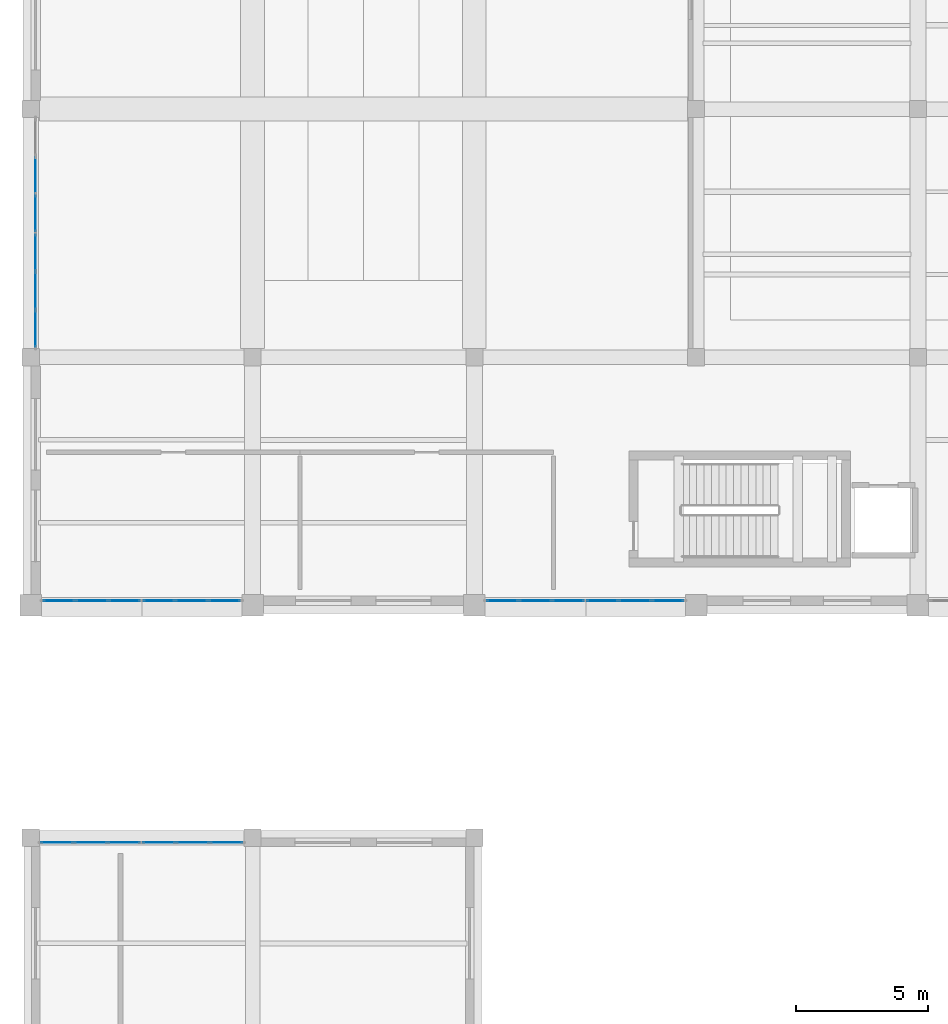
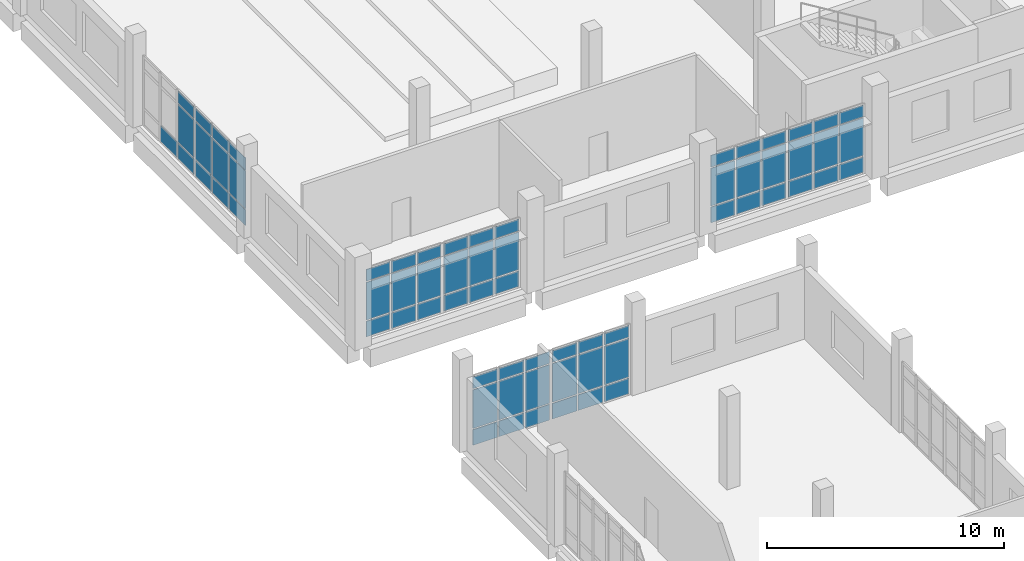
# One storey, part 54 of 90: 67 plates, 8 elements without a shape of their own.
"""IFC4 building model written with IfcOpenShell, lengths in metres."""

from ifc_helpers import new_model, si_unit, direction, frame, origin, origin_2d, place, context, subcontext, project, spatial, rectangle, extrude, material, layer, layer_set, type_object, element, aggregate, save


model = new_model("IFC4")

# Units and contexts
model_context = context("Model", 3, precision=1e-05, world=origin(), true_north=direction((0.0, 1.0)))
body_context = subcontext(model_context, "Body", "Model", "MODEL_VIEW")
ifc_project = project(units=[si_unit("LENGTHUNIT", "METRE"), si_unit("AREAUNIT", "SQUARE_METRE"), si_unit("VOLUMEUNIT", "CUBIC_METRE"), si_unit("PLANEANGLEUNIT", "RADIAN"), si_unit("MASSUNIT", "GRAM", prefix="KILO")], contexts=[model_context])

# Site, building, storey
site_placement = place(None, origin())
site = spatial("IfcSite", under=ifc_project, at=site_placement, CompositionType="ELEMENT")
building_placement = place(site_placement, origin())
building = spatial("IfcBuilding", under=site, at=building_placement, Name="Kelarvand Opera House", CompositionType="ELEMENT")
storey_placement = place(building_placement, frame((0.0, 0.0, 5.39990234375)))
storey = spatial("IfcBuildingStorey", under=building, at=storey_placement, Name="L01", CompositionType="ELEMENT", Elevation=5.39990234375)

# Curtain wall, plates
ifc_material_1 = material(Name="Thermally broken aluminium and low-E glazing", Category="aluminium")
ifc_layer_1 = layer(ifc_material_1, 0.179931640625, Name="Thermally broken aluminium and low-E glazing", Category="aluminium")
ifc_layer_set_1 = layer_set([ifc_layer_1], Name="Thermally broken aluminium and low-E glazing")
curtain_wall_type_1 = type_object("IfcCurtainWallType", Name="Unitised Low-E Curtain Wall 4326x3600 Mod 1350 CWF-15", PredefinedType="USERDEFINED", material=ifc_layer_set_1)
curtain_wall_1_placement = place(storey_placement, origin())
curtain_wall_1 = element("IfcCurtainWall", 1, at=curtain_wall_1_placement, inside=storey, type_object=curtain_wall_type_1, Name="V3 L01 Curtain Wall CWF-15 (57)", ObjectType="UNITISED CURTAIN WALL", PredefinedType="USERDEFINED")
ifc_material_2 = material(Name="Low-E laminated double glazing", Category="glass")
ifc_layer_2 = layer(ifc_material_2, 0.031982421875, Name="Low-E laminated double glazing", Category="glass")
ifc_layer_set_2 = layer_set([ifc_layer_2], Name="Low-E laminated double glazing")
plate_type = type_object("IfcPlateType", Name="Low-E Argon Double Glazed Curtain Panel 32mm", PredefinedType="CURTAIN_PANEL", material=ifc_layer_set_2)
plate_1_placement = place(storey_placement, frame((9.179931640625, 97.677978515625, 0.06494140625), z_axis=(0.0, 0.0, 1.0), x_axis=(0.0, 1.0, 0.0)))
plate_1 = element("IfcPlate", 2, at=plate_1_placement, type_object=plate_type, Name="CWF-15 panel 1.1", PredefinedType="CURTAIN_PANEL", context=body_context, shape_type="SweptSolid", body=[
    extrude(rectangle(XDim=1.356201171875, YDim=0.031982421875, at=origin_2d()), origin(), (0.0, 0.0, 1.0), 0.802490234375),
])
plate_2_placement = place(storey_placement, frame((9.179931640625, 97.677978515625, 0.9326171875), z_axis=(0.0, 0.0, 1.0), x_axis=(0.0, 1.0, 0.0)))
plate_2 = element("IfcPlate", 3, at=plate_2_placement, type_object=plate_type, Name="CWF-15 panel 1.2", PredefinedType="CURTAIN_PANEL", context=body_context, shape_type="SweptSolid", body=[
    extrude(rectangle(XDim=1.356201171875, YDim=0.031982421875, at=origin_2d()), origin(), (0.0, 0.0, 1.0), 1.93505859375),
])
plate_3_placement = place(storey_placement, frame((9.179931640625, 97.677978515625, 2.9326171875), z_axis=(0.0, 0.0, 1.0), x_axis=(0.0, 1.0, 0.0)))
plate_3 = element("IfcPlate", 4, at=plate_3_placement, type_object=plate_type, Name="CWF-15 panel 1.3", PredefinedType="CURTAIN_PANEL", context=body_context, shape_type="SweptSolid", body=[
    extrude(rectangle(XDim=1.356201171875, YDim=0.031982421875, at=origin_2d()), origin(), (0.0, 0.0, 1.0), 0.6025390625),
])
plate_4_placement = place(storey_placement, frame((9.179931640625, 99.115478515625, 0.06494140625), z_axis=(0.0, 0.0, 1.0), x_axis=(0.0, 1.0, 0.0)))
plate_4 = element("IfcPlate", 5, at=plate_4_placement, type_object=plate_type, Name="CWF-15 panel 2.1", PredefinedType="CURTAIN_PANEL", context=body_context, shape_type="SweptSolid", body=[
    extrude(rectangle(XDim=1.388671875, YDim=0.031982421875, at=origin_2d()), origin(), (0.0, 0.0, 1.0), 0.802490234375),
])
plate_5_placement = place(storey_placement, frame((9.179931640625, 99.115478515625, 0.9326171875), z_axis=(0.0, 0.0, 1.0), x_axis=(0.0, 1.0, 0.0)))
plate_5 = element("IfcPlate", 6, at=plate_5_placement, type_object=plate_type, Name="CWF-15 panel 2.2", PredefinedType="CURTAIN_PANEL", context=body_context, shape_type="SweptSolid", body=[
    extrude(rectangle(XDim=1.388671875, YDim=0.031982421875, at=origin_2d()), origin(), (0.0, 0.0, 1.0), 1.93505859375),
])
plate_6_placement = place(storey_placement, frame((9.179931640625, 99.115478515625, 2.9326171875), z_axis=(0.0, 0.0, 1.0), x_axis=(0.0, 1.0, 0.0)))
plate_6 = element("IfcPlate", 7, at=plate_6_placement, type_object=plate_type, Name="CWF-15 panel 2.3", PredefinedType="CURTAIN_PANEL", context=body_context, shape_type="SweptSolid", body=[
    extrude(rectangle(XDim=1.388671875, YDim=0.031982421875, at=origin_2d()), origin(), (0.0, 0.0, 1.0), 0.6025390625),
])
plate_7_placement = place(storey_placement, frame((9.179931640625, 100.552978515625, 0.06494140625), z_axis=(0.0, 0.0, 1.0), x_axis=(0.0, 1.0, 0.0)))
plate_7 = element("IfcPlate", 8, at=plate_7_placement, type_object=plate_type, Name="CWF-15 panel 3.1", PredefinedType="CURTAIN_PANEL", context=body_context, shape_type="SweptSolid", body=[
    extrude(rectangle(XDim=1.356201171875, YDim=0.031982421875, at=origin_2d()), origin(), (0.0, 0.0, 1.0), 0.802490234375),
])
plate_8_placement = place(storey_placement, frame((9.179931640625, 100.552978515625, 0.9326171875), z_axis=(0.0, 0.0, 1.0), x_axis=(0.0, 1.0, 0.0)))
plate_8 = element("IfcPlate", 9, at=plate_8_placement, type_object=plate_type, Name="CWF-15 panel 3.2", PredefinedType="CURTAIN_PANEL", context=body_context, shape_type="SweptSolid", body=[
    extrude(rectangle(XDim=1.356201171875, YDim=0.031982421875, at=origin_2d()), origin(), (0.0, 0.0, 1.0), 1.93505859375),
])
plate_9_placement = place(storey_placement, frame((9.179931640625, 100.552978515625, 2.9326171875), z_axis=(0.0, 0.0, 1.0), x_axis=(0.0, 1.0, 0.0)))
plate_9 = element("IfcPlate", 10, at=plate_9_placement, type_object=plate_type, Name="CWF-15 panel 3.3", PredefinedType="CURTAIN_PANEL", context=body_context, shape_type="SweptSolid", body=[
    extrude(rectangle(XDim=1.356201171875, YDim=0.031982421875, at=origin_2d()), origin(), (0.0, 0.0, 1.0), 0.6025390625),
])
aggregate(curtain_wall_1, [plate_1, plate_2, plate_3, plate_4, plate_5, plate_6, plate_7, plate_8, plate_9])

curtain_wall_2_placement = place(storey_placement, origin())
curtain_wall_2 = element("IfcCurtainWall", 11, at=curtain_wall_2_placement, inside=storey, type_object=curtain_wall_type_1, Name="V3 L01 Curtain Wall CWF-15 (58)", ObjectType="UNITISED CURTAIN WALL", PredefinedType="USERDEFINED")
plate_10_placement = place(storey_placement, frame((9.179931640625, 102.043701171875, 0.06494140625), z_axis=(0.0, 0.0, 1.0), x_axis=(0.0, 1.0, 0.0)))
plate_10 = element("IfcPlate", 12, at=plate_10_placement, type_object=plate_type, Name="CWF-15 panel 1.1", PredefinedType="CURTAIN_PANEL", context=body_context, shape_type="SweptSolid", body=[
    extrude(rectangle(XDim=1.357421875, YDim=0.031982421875, at=origin_2d()), origin(), (0.0, 0.0, 1.0), 0.802490234375),
])
plate_11_placement = place(storey_placement, frame((9.179931640625, 102.043701171875, 0.9326171875), z_axis=(0.0, 0.0, 1.0), x_axis=(0.0, 1.0, 0.0)))
plate_11 = element("IfcPlate", 13, at=plate_11_placement, type_object=plate_type, Name="CWF-15 panel 1.2", PredefinedType="CURTAIN_PANEL", context=body_context, shape_type="SweptSolid", body=[
    extrude(rectangle(XDim=1.357421875, YDim=0.031982421875, at=origin_2d()), origin(), (0.0, 0.0, 1.0), 1.93505859375),
])
plate_12_placement = place(storey_placement, frame((9.179931640625, 102.043701171875, 2.9326171875), z_axis=(0.0, 0.0, 1.0), x_axis=(0.0, 1.0, 0.0)))
plate_12 = element("IfcPlate", 14, at=plate_12_placement, type_object=plate_type, Name="CWF-15 panel 1.3", PredefinedType="CURTAIN_PANEL", context=body_context, shape_type="SweptSolid", body=[
    extrude(rectangle(XDim=1.357421875, YDim=0.031982421875, at=origin_2d()), origin(), (0.0, 0.0, 1.0), 0.6025390625),
])
plate_13_placement = place(storey_placement, frame((9.179931640625, 103.482421875, 0.06494140625), z_axis=(0.0, 0.0, 1.0), x_axis=(0.0, 1.0, 0.0)))
plate_13 = element("IfcPlate", 15, at=plate_13_placement, type_object=plate_type, Name="CWF-15 panel 2.1", PredefinedType="CURTAIN_PANEL", context=body_context, shape_type="SweptSolid", body=[
    extrude(rectangle(XDim=1.389892578125, YDim=0.031982421875, at=origin_2d()), origin(), (0.0, 0.0, 1.0), 0.802490234375),
])
aggregate(curtain_wall_2, [plate_10, plate_11, plate_12, plate_13])

ifc_layer_3 = layer(ifc_material_1, 0.179931640625, Name="Thermally broken aluminium and low-E glazing", Category="aluminium")
ifc_layer_set_3 = layer_set([ifc_layer_3], Name="Thermally broken aluminium and low-E glazing")
curtain_wall_type_2 = type_object("IfcCurtainWallType", Name="Unitised Low-E Curtain Wall 3818x3600 Mod 1350 CWF-18", PredefinedType="USERDEFINED", material=ifc_layer_set_3)
curtain_wall_3_placement = place(storey_placement, origin())
curtain_wall_3 = element("IfcCurtainWall", 16, at=curtain_wall_3_placement, inside=storey, type_object=curtain_wall_type_2, Name="V3 L01 Curtain Wall CWF-18 (63)", ObjectType="UNITISED CURTAIN WALL", PredefinedType="USERDEFINED")
plate_14_placement = place(storey_placement, frame((33.134521484375, 87.3798828125, 0.06494140625), z_axis=(0.0, 0.0, 1.0), x_axis=(-1.0, 0.0, 0.0)))
plate_14 = element("IfcPlate", 17, at=plate_14_placement, type_object=plate_type, Name="CWF-18 panel 1.1", PredefinedType="CURTAIN_PANEL", context=body_context, shape_type="SweptSolid", body=[
    extrude(rectangle(XDim=1.1611328125, YDim=0.031982421875, at=origin_2d()), origin(), (0.0, 0.0, 1.0), 0.802490234375),
])
plate_15_placement = place(storey_placement, frame((33.134521484375, 87.3798828125, 0.9326171875), z_axis=(0.0, 0.0, 1.0), x_axis=(-1.0, 0.0, 0.0)))
plate_15 = element("IfcPlate", 18, at=plate_15_placement, type_object=plate_type, Name="CWF-18 panel 1.2", PredefinedType="CURTAIN_PANEL", context=body_context, shape_type="SweptSolid", body=[
    extrude(rectangle(XDim=1.1611328125, YDim=0.031982421875, at=origin_2d()), origin(), (0.0, 0.0, 1.0), 1.93505859375),
])
plate_16_placement = place(storey_placement, frame((33.134521484375, 87.3798828125, 2.9326171875), z_axis=(0.0, 0.0, 1.0), x_axis=(-1.0, 0.0, 0.0)))
plate_16 = element("IfcPlate", 19, at=plate_16_placement, type_object=plate_type, Name="CWF-18 panel 1.3", PredefinedType="CURTAIN_PANEL", context=body_context, shape_type="SweptSolid", body=[
    extrude(rectangle(XDim=1.1611328125, YDim=0.031982421875, at=origin_2d()), origin(), (0.0, 0.0, 1.0), 0.6025390625),
])
plate_17_placement = place(storey_placement, frame((31.89208984375, 87.3798828125, 0.06494140625), z_axis=(0.0, 0.0, 1.0), x_axis=(-1.0, 0.0, 0.0)))
plate_17 = element("IfcPlate", 20, at=plate_17_placement, type_object=plate_type, Name="CWF-18 panel 2.1", PredefinedType="CURTAIN_PANEL", context=body_context, shape_type="SweptSolid", body=[
    extrude(rectangle(XDim=1.193603515625, YDim=0.031982421875, at=origin_2d()), origin(), (0.0, 0.0, 1.0), 0.802490234375),
])
plate_18_placement = place(storey_placement, frame((31.89208984375, 87.3798828125, 0.9326171875), z_axis=(0.0, 0.0, 1.0), x_axis=(-1.0, 0.0, 0.0)))
plate_18 = element("IfcPlate", 21, at=plate_18_placement, type_object=plate_type, Name="CWF-18 panel 2.2", PredefinedType="CURTAIN_PANEL", context=body_context, shape_type="SweptSolid", body=[
    extrude(rectangle(XDim=1.193603515625, YDim=0.031982421875, at=origin_2d()), origin(), (0.0, 0.0, 1.0), 1.93505859375),
])
plate_19_placement = place(storey_placement, frame((31.89208984375, 87.3798828125, 2.9326171875), z_axis=(0.0, 0.0, 1.0), x_axis=(-1.0, 0.0, 0.0)))
plate_19 = element("IfcPlate", 22, at=plate_19_placement, type_object=plate_type, Name="CWF-18 panel 2.3", PredefinedType="CURTAIN_PANEL", context=body_context, shape_type="SweptSolid", body=[
    extrude(rectangle(XDim=1.193603515625, YDim=0.031982421875, at=origin_2d()), origin(), (0.0, 0.0, 1.0), 0.6025390625),
])
plate_20_placement = place(storey_placement, frame((30.649658203125, 87.3798828125, 0.06494140625), z_axis=(0.0, 0.0, 1.0), x_axis=(-1.0, 0.0, 0.0)))
plate_20 = element("IfcPlate", 23, at=plate_20_placement, type_object=plate_type, Name="CWF-18 panel 3.1", PredefinedType="CURTAIN_PANEL", context=body_context, shape_type="SweptSolid", body=[
    extrude(rectangle(XDim=1.1611328125, YDim=0.031982421875, at=origin_2d()), origin(), (0.0, 0.0, 1.0), 0.802490234375),
])
plate_21_placement = place(storey_placement, frame((30.649658203125, 87.3798828125, 0.9326171875), z_axis=(0.0, 0.0, 1.0), x_axis=(-1.0, 0.0, 0.0)))
plate_21 = element("IfcPlate", 24, at=plate_21_placement, type_object=plate_type, Name="CWF-18 panel 3.2", PredefinedType="CURTAIN_PANEL", context=body_context, shape_type="SweptSolid", body=[
    extrude(rectangle(XDim=1.1611328125, YDim=0.031982421875, at=origin_2d()), origin(), (0.0, 0.0, 1.0), 1.93505859375),
])
plate_22_placement = place(storey_placement, frame((30.649658203125, 87.3798828125, 2.9326171875), z_axis=(0.0, 0.0, 1.0), x_axis=(-1.0, 0.0, 0.0)))
plate_22 = element("IfcPlate", 25, at=plate_22_placement, type_object=plate_type, Name="CWF-18 panel 3.3", PredefinedType="CURTAIN_PANEL", context=body_context, shape_type="SweptSolid", body=[
    extrude(rectangle(XDim=1.1611328125, YDim=0.031982421875, at=origin_2d()), origin(), (0.0, 0.0, 1.0), 0.6025390625),
])
aggregate(curtain_wall_3, [plate_14, plate_15, plate_16, plate_17, plate_18, plate_19, plate_20, plate_21, plate_22])

curtain_wall_4_placement = place(storey_placement, origin())
curtain_wall_4 = element("IfcCurtainWall", 26, at=curtain_wall_4_placement, inside=storey, type_object=curtain_wall_type_2, Name="V3 L01 Curtain Wall CWF-18 (64)", ObjectType="UNITISED CURTAIN WALL", PredefinedType="USERDEFINED")
plate_23_placement = place(storey_placement, frame((29.353759765625, 87.3798828125, 0.06494140625), z_axis=(0.0, 0.0, 1.0), x_axis=(-1.0, 0.0, 0.0)))
plate_23 = element("IfcPlate", 27, at=plate_23_placement, type_object=plate_type, Name="CWF-18 panel 1.1", PredefinedType="CURTAIN_PANEL", context=body_context, shape_type="SweptSolid", body=[
    extrude(rectangle(XDim=1.16259765625, YDim=0.031982421875, at=origin_2d()), origin(), (0.0, 0.0, 1.0), 0.802490234375),
])
plate_24_placement = place(storey_placement, frame((29.353759765625, 87.3798828125, 0.9326171875), z_axis=(0.0, 0.0, 1.0), x_axis=(-1.0, 0.0, 0.0)))
plate_24 = element("IfcPlate", 28, at=plate_24_placement, type_object=plate_type, Name="CWF-18 panel 1.2", PredefinedType="CURTAIN_PANEL", context=body_context, shape_type="SweptSolid", body=[
    extrude(rectangle(XDim=1.16259765625, YDim=0.031982421875, at=origin_2d()), origin(), (0.0, 0.0, 1.0), 1.93505859375),
])
plate_25_placement = place(storey_placement, frame((29.353759765625, 87.3798828125, 2.9326171875), z_axis=(0.0, 0.0, 1.0), x_axis=(-1.0, 0.0, 0.0)))
plate_25 = element("IfcPlate", 29, at=plate_25_placement, type_object=plate_type, Name="CWF-18 panel 1.3", PredefinedType="CURTAIN_PANEL", context=body_context, shape_type="SweptSolid", body=[
    extrude(rectangle(XDim=1.16259765625, YDim=0.031982421875, at=origin_2d()), origin(), (0.0, 0.0, 1.0), 0.6025390625),
])
plate_26_placement = place(storey_placement, frame((28.110107421875, 87.3798828125, 0.06494140625), z_axis=(0.0, 0.0, 1.0), x_axis=(-1.0, 0.0, 0.0)))
plate_26 = element("IfcPlate", 30, at=plate_26_placement, type_object=plate_type, Name="CWF-18 panel 2.1", PredefinedType="CURTAIN_PANEL", context=body_context, shape_type="SweptSolid", body=[
    extrude(rectangle(XDim=1.195068359375, YDim=0.031982421875, at=origin_2d()), origin(), (0.0, 0.0, 1.0), 0.802490234375),
])
plate_27_placement = place(storey_placement, frame((28.110107421875, 87.3798828125, 0.9326171875), z_axis=(0.0, 0.0, 1.0), x_axis=(-1.0, 0.0, 0.0)))
plate_27 = element("IfcPlate", 31, at=plate_27_placement, type_object=plate_type, Name="CWF-18 panel 2.2", PredefinedType="CURTAIN_PANEL", context=body_context, shape_type="SweptSolid", body=[
    extrude(rectangle(XDim=1.195068359375, YDim=0.031982421875, at=origin_2d()), origin(), (0.0, 0.0, 1.0), 1.93505859375),
])
plate_28_placement = place(storey_placement, frame((28.110107421875, 87.3798828125, 2.9326171875), z_axis=(0.0, 0.0, 1.0), x_axis=(-1.0, 0.0, 0.0)))
plate_28 = element("IfcPlate", 32, at=plate_28_placement, type_object=plate_type, Name="CWF-18 panel 2.3", PredefinedType="CURTAIN_PANEL", context=body_context, shape_type="SweptSolid", body=[
    extrude(rectangle(XDim=1.195068359375, YDim=0.031982421875, at=origin_2d()), origin(), (0.0, 0.0, 1.0), 0.6025390625),
])
plate_29_placement = place(storey_placement, frame((26.8662109375, 87.3798828125, 0.06494140625), z_axis=(0.0, 0.0, 1.0), x_axis=(-1.0, 0.0, 0.0)))
plate_29 = element("IfcPlate", 33, at=plate_29_placement, type_object=plate_type, Name="CWF-18 panel 3.1", PredefinedType="CURTAIN_PANEL", context=body_context, shape_type="SweptSolid", body=[
    extrude(rectangle(XDim=1.16259765625, YDim=0.031982421875, at=origin_2d()), origin(), (0.0, 0.0, 1.0), 0.802490234375),
])
plate_30_placement = place(storey_placement, frame((26.8662109375, 87.3798828125, 0.9326171875), z_axis=(0.0, 0.0, 1.0), x_axis=(-1.0, 0.0, 0.0)))
plate_30 = element("IfcPlate", 34, at=plate_30_placement, type_object=plate_type, Name="CWF-18 panel 3.2", PredefinedType="CURTAIN_PANEL", context=body_context, shape_type="SweptSolid", body=[
    extrude(rectangle(XDim=1.16259765625, YDim=0.031982421875, at=origin_2d()), origin(), (0.0, 0.0, 1.0), 1.93505859375),
])
plate_31_placement = place(storey_placement, frame((26.8662109375, 87.3798828125, 2.9326171875), z_axis=(0.0, 0.0, 1.0), x_axis=(-1.0, 0.0, 0.0)))
plate_31 = element("IfcPlate", 35, at=plate_31_placement, type_object=plate_type, Name="CWF-18 panel 3.3", PredefinedType="CURTAIN_PANEL", context=body_context, shape_type="SweptSolid", body=[
    extrude(rectangle(XDim=1.16259765625, YDim=0.031982421875, at=origin_2d()), origin(), (0.0, 0.0, 1.0), 0.6025390625),
])
aggregate(curtain_wall_4, [plate_23, plate_24, plate_25, plate_26, plate_27, plate_28, plate_29, plate_30, plate_31])

curtain_wall_5_placement = place(storey_placement, origin())
curtain_wall_5 = element("IfcCurtainWall", 36, at=curtain_wall_5_placement, inside=storey, type_object=curtain_wall_type_2, Name="V3 L01 Curtain Wall CWF-18 (65)", ObjectType="UNITISED CURTAIN WALL", PredefinedType="USERDEFINED")
plate_32_placement = place(storey_placement, frame((16.33447265625, 87.3798828125, 0.06494140625), z_axis=(0.0, 0.0, 1.0), x_axis=(-1.0, 0.0, 0.0)))
plate_32 = element("IfcPlate", 37, at=plate_32_placement, type_object=plate_type, Name="CWF-18 panel 1.1", PredefinedType="CURTAIN_PANEL", context=body_context, shape_type="SweptSolid", body=[
    extrude(rectangle(XDim=1.1611328125, YDim=0.031982421875, at=origin_2d()), origin(), (0.0, 0.0, 1.0), 0.802490234375),
])
plate_33_placement = place(storey_placement, frame((16.33447265625, 87.3798828125, 0.9326171875), z_axis=(0.0, 0.0, 1.0), x_axis=(-1.0, 0.0, 0.0)))
plate_33 = element("IfcPlate", 38, at=plate_33_placement, type_object=plate_type, Name="CWF-18 panel 1.2", PredefinedType="CURTAIN_PANEL", context=body_context, shape_type="SweptSolid", body=[
    extrude(rectangle(XDim=1.1611328125, YDim=0.031982421875, at=origin_2d()), origin(), (0.0, 0.0, 1.0), 1.93505859375),
])
plate_34_placement = place(storey_placement, frame((16.33447265625, 87.3798828125, 2.9326171875), z_axis=(0.0, 0.0, 1.0), x_axis=(-1.0, 0.0, 0.0)))
plate_34 = element("IfcPlate", 39, at=plate_34_placement, type_object=plate_type, Name="CWF-18 panel 1.3", PredefinedType="CURTAIN_PANEL", context=body_context, shape_type="SweptSolid", body=[
    extrude(rectangle(XDim=1.1611328125, YDim=0.031982421875, at=origin_2d()), origin(), (0.0, 0.0, 1.0), 0.6025390625),
])
plate_35_placement = place(storey_placement, frame((15.092041015625, 87.3798828125, 0.06494140625), z_axis=(0.0, 0.0, 1.0), x_axis=(-1.0, 0.0, 0.0)))
plate_35 = element("IfcPlate", 40, at=plate_35_placement, type_object=plate_type, Name="CWF-18 panel 2.1", PredefinedType="CURTAIN_PANEL", context=body_context, shape_type="SweptSolid", body=[
    extrude(rectangle(XDim=1.193603515625, YDim=0.031982421875, at=origin_2d()), origin(), (0.0, 0.0, 1.0), 0.802490234375),
])
plate_36_placement = place(storey_placement, frame((15.092041015625, 87.3798828125, 0.9326171875), z_axis=(0.0, 0.0, 1.0), x_axis=(-1.0, 0.0, 0.0)))
plate_36 = element("IfcPlate", 41, at=plate_36_placement, type_object=plate_type, Name="CWF-18 panel 2.2", PredefinedType="CURTAIN_PANEL", context=body_context, shape_type="SweptSolid", body=[
    extrude(rectangle(XDim=1.193603515625, YDim=0.031982421875, at=origin_2d()), origin(), (0.0, 0.0, 1.0), 1.93505859375),
])
plate_37_placement = place(storey_placement, frame((15.092041015625, 87.3798828125, 2.9326171875), z_axis=(0.0, 0.0, 1.0), x_axis=(-1.0, 0.0, 0.0)))
plate_37 = element("IfcPlate", 42, at=plate_37_placement, type_object=plate_type, Name="CWF-18 panel 2.3", PredefinedType="CURTAIN_PANEL", context=body_context, shape_type="SweptSolid", body=[
    extrude(rectangle(XDim=1.193603515625, YDim=0.031982421875, at=origin_2d()), origin(), (0.0, 0.0, 1.0), 0.6025390625),
])
plate_38_placement = place(storey_placement, frame((13.849609375, 87.3798828125, 0.06494140625), z_axis=(0.0, 0.0, 1.0), x_axis=(-1.0, 0.0, 0.0)))
plate_38 = element("IfcPlate", 43, at=plate_38_placement, type_object=plate_type, Name="CWF-18 panel 3.1", PredefinedType="CURTAIN_PANEL", context=body_context, shape_type="SweptSolid", body=[
    extrude(rectangle(XDim=1.1611328125, YDim=0.031982421875, at=origin_2d()), origin(), (0.0, 0.0, 1.0), 0.802490234375),
])
plate_39_placement = place(storey_placement, frame((13.849609375, 87.3798828125, 0.9326171875), z_axis=(0.0, 0.0, 1.0), x_axis=(-1.0, 0.0, 0.0)))
plate_39 = element("IfcPlate", 44, at=plate_39_placement, type_object=plate_type, Name="CWF-18 panel 3.2", PredefinedType="CURTAIN_PANEL", context=body_context, shape_type="SweptSolid", body=[
    extrude(rectangle(XDim=1.1611328125, YDim=0.031982421875, at=origin_2d()), origin(), (0.0, 0.0, 1.0), 1.93505859375),
])
plate_40_placement = place(storey_placement, frame((13.849609375, 87.3798828125, 2.9326171875), z_axis=(0.0, 0.0, 1.0), x_axis=(-1.0, 0.0, 0.0)))
plate_40 = element("IfcPlate", 45, at=plate_40_placement, type_object=plate_type, Name="CWF-18 panel 3.3", PredefinedType="CURTAIN_PANEL", context=body_context, shape_type="SweptSolid", body=[
    extrude(rectangle(XDim=1.1611328125, YDim=0.031982421875, at=origin_2d()), origin(), (0.0, 0.0, 1.0), 0.6025390625),
])
aggregate(curtain_wall_5, [plate_32, plate_33, plate_34, plate_35, plate_36, plate_37, plate_38, plate_39, plate_40])

curtain_wall_6_placement = place(storey_placement, origin())
curtain_wall_6 = element("IfcCurtainWall", 46, at=curtain_wall_6_placement, inside=storey, type_object=curtain_wall_type_2, Name="V3 L01 Curtain Wall CWF-18 (66)", ObjectType="UNITISED CURTAIN WALL", PredefinedType="USERDEFINED")
plate_41_placement = place(storey_placement, frame((12.5537109375, 87.3798828125, 0.06494140625), z_axis=(0.0, 0.0, 1.0), x_axis=(-1.0, 0.0, 0.0)))
plate_41 = element("IfcPlate", 47, at=plate_41_placement, type_object=plate_type, Name="CWF-18 panel 1.1", PredefinedType="CURTAIN_PANEL", context=body_context, shape_type="SweptSolid", body=[
    extrude(rectangle(XDim=1.16259765625, YDim=0.031982421875, at=origin_2d()), origin(), (0.0, 0.0, 1.0), 0.802490234375),
])
plate_42_placement = place(storey_placement, frame((12.5537109375, 87.3798828125, 0.9326171875), z_axis=(0.0, 0.0, 1.0), x_axis=(-1.0, 0.0, 0.0)))
plate_42 = element("IfcPlate", 48, at=plate_42_placement, type_object=plate_type, Name="CWF-18 panel 1.2", PredefinedType="CURTAIN_PANEL", context=body_context, shape_type="SweptSolid", body=[
    extrude(rectangle(XDim=1.16259765625, YDim=0.031982421875, at=origin_2d()), origin(), (0.0, 0.0, 1.0), 1.93505859375),
])
plate_43_placement = place(storey_placement, frame((12.5537109375, 87.3798828125, 2.9326171875), z_axis=(0.0, 0.0, 1.0), x_axis=(-1.0, 0.0, 0.0)))
plate_43 = element("IfcPlate", 49, at=plate_43_placement, type_object=plate_type, Name="CWF-18 panel 1.3", PredefinedType="CURTAIN_PANEL", context=body_context, shape_type="SweptSolid", body=[
    extrude(rectangle(XDim=1.16259765625, YDim=0.031982421875, at=origin_2d()), origin(), (0.0, 0.0, 1.0), 0.6025390625),
])
plate_44_placement = place(storey_placement, frame((11.31005859375, 87.3798828125, 0.06494140625), z_axis=(0.0, 0.0, 1.0), x_axis=(-1.0, 0.0, 0.0)))
plate_44 = element("IfcPlate", 50, at=plate_44_placement, type_object=plate_type, Name="CWF-18 panel 2.1", PredefinedType="CURTAIN_PANEL", context=body_context, shape_type="SweptSolid", body=[
    extrude(rectangle(XDim=1.195068359375, YDim=0.031982421875, at=origin_2d()), origin(), (0.0, 0.0, 1.0), 0.802490234375),
])
plate_45_placement = place(storey_placement, frame((11.31005859375, 87.3798828125, 0.9326171875), z_axis=(0.0, 0.0, 1.0), x_axis=(-1.0, 0.0, 0.0)))
plate_45 = element("IfcPlate", 51, at=plate_45_placement, type_object=plate_type, Name="CWF-18 panel 2.2", PredefinedType="CURTAIN_PANEL", context=body_context, shape_type="SweptSolid", body=[
    extrude(rectangle(XDim=1.195068359375, YDim=0.031982421875, at=origin_2d()), origin(), (0.0, 0.0, 1.0), 1.93505859375),
])
plate_46_placement = place(storey_placement, frame((11.31005859375, 87.3798828125, 2.9326171875), z_axis=(0.0, 0.0, 1.0), x_axis=(-1.0, 0.0, 0.0)))
plate_46 = element("IfcPlate", 52, at=plate_46_placement, type_object=plate_type, Name="CWF-18 panel 2.3", PredefinedType="CURTAIN_PANEL", context=body_context, shape_type="SweptSolid", body=[
    extrude(rectangle(XDim=1.195068359375, YDim=0.031982421875, at=origin_2d()), origin(), (0.0, 0.0, 1.0), 0.6025390625),
])
plate_47_placement = place(storey_placement, frame((10.066162109375, 87.3798828125, 0.06494140625), z_axis=(0.0, 0.0, 1.0), x_axis=(-1.0, 0.0, 0.0)))
plate_47 = element("IfcPlate", 53, at=plate_47_placement, type_object=plate_type, Name="CWF-18 panel 3.1", PredefinedType="CURTAIN_PANEL", context=body_context, shape_type="SweptSolid", body=[
    extrude(rectangle(XDim=1.16259765625, YDim=0.031982421875, at=origin_2d()), origin(), (0.0, 0.0, 1.0), 0.802490234375),
])
plate_48_placement = place(storey_placement, frame((10.066162109375, 87.3798828125, 0.9326171875), z_axis=(0.0, 0.0, 1.0), x_axis=(-1.0, 0.0, 0.0)))
plate_48 = element("IfcPlate", 54, at=plate_48_placement, type_object=plate_type, Name="CWF-18 panel 3.2", PredefinedType="CURTAIN_PANEL", context=body_context, shape_type="SweptSolid", body=[
    extrude(rectangle(XDim=1.16259765625, YDim=0.031982421875, at=origin_2d()), origin(), (0.0, 0.0, 1.0), 1.93505859375),
])
plate_49_placement = place(storey_placement, frame((10.066162109375, 87.3798828125, 2.9326171875), z_axis=(0.0, 0.0, 1.0), x_axis=(-1.0, 0.0, 0.0)))
plate_49 = element("IfcPlate", 55, at=plate_49_placement, type_object=plate_type, Name="CWF-18 panel 3.3", PredefinedType="CURTAIN_PANEL", context=body_context, shape_type="SweptSolid", body=[
    extrude(rectangle(XDim=1.16259765625, YDim=0.031982421875, at=origin_2d()), origin(), (0.0, 0.0, 1.0), 0.6025390625),
])
aggregate(curtain_wall_6, [plate_41, plate_42, plate_43, plate_44, plate_45, plate_46, plate_47, plate_48, plate_49])

ifc_layer_4 = layer(ifc_material_1, 0.179931640625, Name="Thermally broken aluminium and low-E glazing", Category="aluminium")
ifc_layer_set_4 = layer_set([ifc_layer_4], Name="Thermally broken aluminium and low-E glazing")
curtain_wall_type_3 = type_object("IfcCurtainWallType", Name="Unitised Low-E Curtain Wall 3861x3650 Mod 1350 CWF-30", PredefinedType="USERDEFINED", material=ifc_layer_set_4)
curtain_wall_7_placement = place(storey_placement, origin())
curtain_wall_7 = element("IfcCurtainWall", 56, at=curtain_wall_7_placement, inside=storey, type_object=curtain_wall_type_3, Name="V4 L01 Curtain Wall CWF-30 (143)", ObjectType="UNITISED CURTAIN WALL", PredefinedType="USERDEFINED")
plate_50_placement = place(storey_placement, frame((9.99462890625, 78.219970703125, 0.06494140625), z_axis=(0.0, 0.0, 1.0), x_axis=(1.0, 0.0, 0.0)))
plate_50 = element("IfcPlate", 57, at=plate_50_placement, type_object=plate_type, Name="CWF-30 panel 1.1", PredefinedType="CURTAIN_PANEL", context=body_context, shape_type="SweptSolid", body=[
    extrude(rectangle(XDim=1.189453125, YDim=0.031982421875, at=origin_2d()), origin(), (0.0, 0.0, 1.0), 0.802490234375),
])
plate_51_placement = place(storey_placement, frame((9.99462890625, 78.219970703125, 0.9326171875), z_axis=(0.0, 0.0, 1.0), x_axis=(1.0, 0.0, 0.0)))
plate_51 = element("IfcPlate", 58, at=plate_51_placement, type_object=plate_type, Name="CWF-30 panel 1.2", PredefinedType="CURTAIN_PANEL", context=body_context, shape_type="SweptSolid", body=[
    extrude(rectangle(XDim=1.189453125, YDim=0.031982421875, at=origin_2d()), origin(), (0.0, 0.0, 1.0), 1.985107421875),
])
plate_52_placement = place(storey_placement, frame((9.99462890625, 78.219970703125, 2.982666015625), z_axis=(0.0, 0.0, 1.0), x_axis=(1.0, 0.0, 0.0)))
plate_52 = element("IfcPlate", 59, at=plate_52_placement, type_object=plate_type, Name="CWF-30 panel 1.3", PredefinedType="CURTAIN_PANEL", context=body_context, shape_type="SweptSolid", body=[
    extrude(rectangle(XDim=1.189453125, YDim=0.031982421875, at=origin_2d()), origin(), (0.0, 0.0, 1.0), 0.6025390625),
])
plate_53_placement = place(storey_placement, frame((11.265380859375, 78.219970703125, 0.06494140625), z_axis=(0.0, 0.0, 1.0), x_axis=(1.0, 0.0, 0.0)))
plate_53 = element("IfcPlate", 60, at=plate_53_placement, type_object=plate_type, Name="CWF-30 panel 2.1", PredefinedType="CURTAIN_PANEL", context=body_context, shape_type="SweptSolid", body=[
    extrude(rectangle(XDim=1.221923828125, YDim=0.031982421875, at=origin_2d()), origin(), (0.0, 0.0, 1.0), 0.802490234375),
])
plate_54_placement = place(storey_placement, frame((11.265380859375, 78.219970703125, 0.9326171875), z_axis=(0.0, 0.0, 1.0), x_axis=(1.0, 0.0, 0.0)))
plate_54 = element("IfcPlate", 61, at=plate_54_placement, type_object=plate_type, Name="CWF-30 panel 2.2", PredefinedType="CURTAIN_PANEL", context=body_context, shape_type="SweptSolid", body=[
    extrude(rectangle(XDim=1.221923828125, YDim=0.031982421875, at=origin_2d()), origin(), (0.0, 0.0, 1.0), 1.985107421875),
])
plate_55_placement = place(storey_placement, frame((11.265380859375, 78.219970703125, 2.982666015625), z_axis=(0.0, 0.0, 1.0), x_axis=(1.0, 0.0, 0.0)))
plate_55 = element("IfcPlate", 62, at=plate_55_placement, type_object=plate_type, Name="CWF-30 panel 2.3", PredefinedType="CURTAIN_PANEL", context=body_context, shape_type="SweptSolid", body=[
    extrude(rectangle(XDim=1.221923828125, YDim=0.031982421875, at=origin_2d()), origin(), (0.0, 0.0, 1.0), 0.6025390625),
])
plate_56_placement = place(storey_placement, frame((12.5361328125, 78.219970703125, 0.06494140625), z_axis=(0.0, 0.0, 1.0), x_axis=(1.0, 0.0, 0.0)))
plate_56 = element("IfcPlate", 63, at=plate_56_placement, type_object=plate_type, Name="CWF-30 panel 3.1", PredefinedType="CURTAIN_PANEL", context=body_context, shape_type="SweptSolid", body=[
    extrude(rectangle(XDim=1.189453125, YDim=0.031982421875, at=origin_2d()), origin(), (0.0, 0.0, 1.0), 0.802490234375),
])
plate_57_placement = place(storey_placement, frame((12.5361328125, 78.219970703125, 0.9326171875), z_axis=(0.0, 0.0, 1.0), x_axis=(1.0, 0.0, 0.0)))
plate_57 = element("IfcPlate", 64, at=plate_57_placement, type_object=plate_type, Name="CWF-30 panel 3.2", PredefinedType="CURTAIN_PANEL", context=body_context, shape_type="SweptSolid", body=[
    extrude(rectangle(XDim=1.189453125, YDim=0.031982421875, at=origin_2d()), origin(), (0.0, 0.0, 1.0), 1.985107421875),
])
plate_58_placement = place(storey_placement, frame((12.5361328125, 78.219970703125, 2.982666015625), z_axis=(0.0, 0.0, 1.0), x_axis=(1.0, 0.0, 0.0)))
plate_58 = element("IfcPlate", 65, at=plate_58_placement, type_object=plate_type, Name="CWF-30 panel 3.3", PredefinedType="CURTAIN_PANEL", context=body_context, shape_type="SweptSolid", body=[
    extrude(rectangle(XDim=1.189453125, YDim=0.031982421875, at=origin_2d()), origin(), (0.0, 0.0, 1.0), 0.6025390625),
])
aggregate(curtain_wall_7, [plate_50, plate_51, plate_52, plate_53, plate_54, plate_55, plate_56, plate_57, plate_58])

curtain_wall_8_placement = place(storey_placement, origin())
curtain_wall_8 = element("IfcCurtainWall", 66, at=curtain_wall_8_placement, inside=storey, type_object=curtain_wall_type_3, Name="V4 L01 Curtain Wall CWF-30 (144)", ObjectType="UNITISED CURTAIN WALL", PredefinedType="USERDEFINED")
plate_59_placement = place(storey_placement, frame((13.8603515625, 78.219970703125, 0.06494140625), z_axis=(0.0, 0.0, 1.0), x_axis=(1.0, 0.0, 0.0)))
plate_59 = element("IfcPlate", 67, at=plate_59_placement, type_object=plate_type, Name="CWF-30 panel 1.1", PredefinedType="CURTAIN_PANEL", context=body_context, shape_type="SweptSolid", body=[
    extrude(rectangle(XDim=1.19091796875, YDim=0.031982421875, at=origin_2d()), origin(), (0.0, 0.0, 1.0), 0.802490234375),
])
plate_60_placement = place(storey_placement, frame((13.8603515625, 78.219970703125, 0.9326171875), z_axis=(0.0, 0.0, 1.0), x_axis=(1.0, 0.0, 0.0)))
plate_60 = element("IfcPlate", 68, at=plate_60_placement, type_object=plate_type, Name="CWF-30 panel 1.2", PredefinedType="CURTAIN_PANEL", context=body_context, shape_type="SweptSolid", body=[
    extrude(rectangle(XDim=1.19091796875, YDim=0.031982421875, at=origin_2d()), origin(), (0.0, 0.0, 1.0), 1.985107421875),
])
plate_61_placement = place(storey_placement, frame((13.8603515625, 78.219970703125, 2.982666015625), z_axis=(0.0, 0.0, 1.0), x_axis=(1.0, 0.0, 0.0)))
plate_61 = element("IfcPlate", 69, at=plate_61_placement, type_object=plate_type, Name="CWF-30 panel 1.3", PredefinedType="CURTAIN_PANEL", context=body_context, shape_type="SweptSolid", body=[
    extrude(rectangle(XDim=1.19091796875, YDim=0.031982421875, at=origin_2d()), origin(), (0.0, 0.0, 1.0), 0.6025390625),
])
plate_62_placement = place(storey_placement, frame((15.132568359375, 78.219970703125, 0.06494140625), z_axis=(0.0, 0.0, 1.0), x_axis=(1.0, 0.0, 0.0)))
plate_62 = element("IfcPlate", 70, at=plate_62_placement, type_object=plate_type, Name="CWF-30 panel 2.1", PredefinedType="CURTAIN_PANEL", context=body_context, shape_type="SweptSolid", body=[
    extrude(rectangle(XDim=1.223388671875, YDim=0.031982421875, at=origin_2d()), origin(), (0.0, 0.0, 1.0), 0.802490234375),
])
plate_63_placement = place(storey_placement, frame((15.132568359375, 78.219970703125, 0.9326171875), z_axis=(0.0, 0.0, 1.0), x_axis=(1.0, 0.0, 0.0)))
plate_63 = element("IfcPlate", 71, at=plate_63_placement, type_object=plate_type, Name="CWF-30 panel 2.2", PredefinedType="CURTAIN_PANEL", context=body_context, shape_type="SweptSolid", body=[
    extrude(rectangle(XDim=1.223388671875, YDim=0.031982421875, at=origin_2d()), origin(), (0.0, 0.0, 1.0), 1.985107421875),
])
plate_64_placement = place(storey_placement, frame((15.132568359375, 78.219970703125, 2.982666015625), z_axis=(0.0, 0.0, 1.0), x_axis=(1.0, 0.0, 0.0)))
plate_64 = element("IfcPlate", 72, at=plate_64_placement, type_object=plate_type, Name="CWF-30 panel 2.3", PredefinedType="CURTAIN_PANEL", context=body_context, shape_type="SweptSolid", body=[
    extrude(rectangle(XDim=1.223388671875, YDim=0.031982421875, at=origin_2d()), origin(), (0.0, 0.0, 1.0), 0.6025390625),
])
plate_65_placement = place(storey_placement, frame((16.404541015625, 78.219970703125, 0.06494140625), z_axis=(0.0, 0.0, 1.0), x_axis=(1.0, 0.0, 0.0)))
plate_65 = element("IfcPlate", 73, at=plate_65_placement, type_object=plate_type, Name="CWF-30 panel 3.1", PredefinedType="CURTAIN_PANEL", context=body_context, shape_type="SweptSolid", body=[
    extrude(rectangle(XDim=1.19091796875, YDim=0.031982421875, at=origin_2d()), origin(), (0.0, 0.0, 1.0), 0.802490234375),
])
plate_66_placement = place(storey_placement, frame((16.404541015625, 78.219970703125, 0.9326171875), z_axis=(0.0, 0.0, 1.0), x_axis=(1.0, 0.0, 0.0)))
plate_66 = element("IfcPlate", 74, at=plate_66_placement, type_object=plate_type, Name="CWF-30 panel 3.2", PredefinedType="CURTAIN_PANEL", context=body_context, shape_type="SweptSolid", body=[
    extrude(rectangle(XDim=1.19091796875, YDim=0.031982421875, at=origin_2d()), origin(), (0.0, 0.0, 1.0), 1.985107421875),
])
plate_67_placement = place(storey_placement, frame((16.404541015625, 78.219970703125, 2.982666015625), z_axis=(0.0, 0.0, 1.0), x_axis=(1.0, 0.0, 0.0)))
plate_67 = element("IfcPlate", 75, at=plate_67_placement, type_object=plate_type, Name="CWF-30 panel 3.3", PredefinedType="CURTAIN_PANEL", context=body_context, shape_type="SweptSolid", body=[
    extrude(rectangle(XDim=1.19091796875, YDim=0.031982421875, at=origin_2d()), origin(), (0.0, 0.0, 1.0), 0.6025390625),
])
aggregate(curtain_wall_8, [plate_59, plate_60, plate_61, plate_62, plate_63, plate_64, plate_65, plate_66, plate_67])

save(model, "model.ifc")
